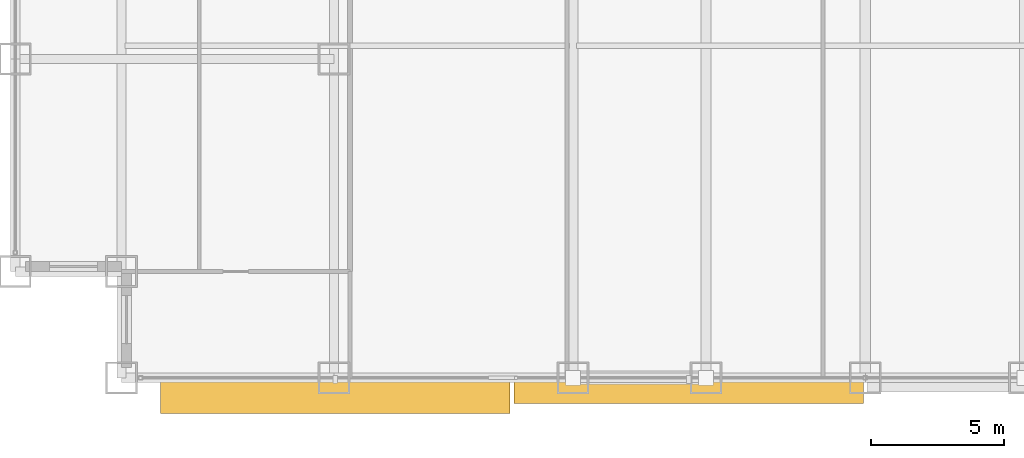
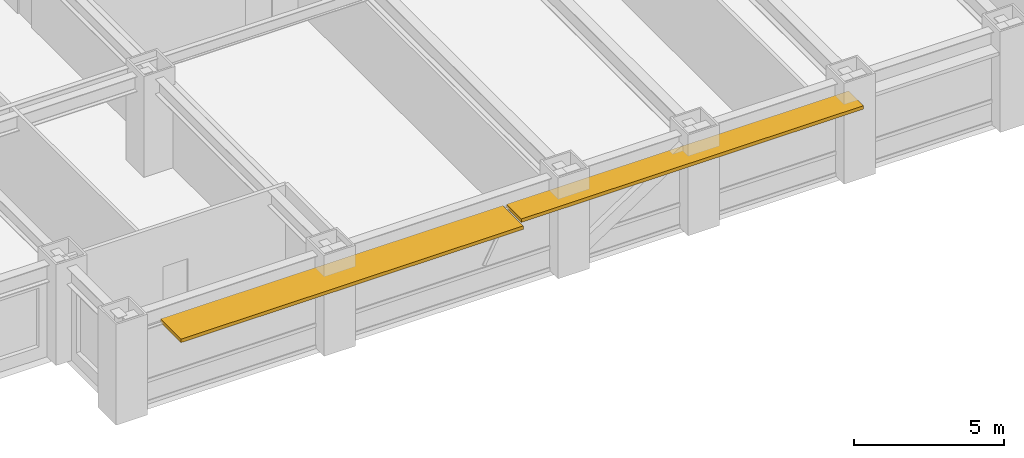
# One storey, part 28 of 32: 2 shading devices.
"""IFC4 building model written with IfcOpenShell, lengths in metres."""

from ifc_helpers import new_model, si_unit, direction, frame, origin, origin_2d, place, context, subcontext, project, spatial, rectangle, extrude, source, transform, mapped, material, layer, layer_set, type_object, element, save


model = new_model("IFC4")

# Units and contexts
model_context = context("Model", 3, precision=1e-05, world=origin(), true_north=direction((0.0, 1.0)))
body_context = subcontext(model_context, "Body", "Model", "MODEL_VIEW")
ifc_project = project(units=[si_unit("LENGTHUNIT", "METRE"), si_unit("AREAUNIT", "SQUARE_METRE"), si_unit("VOLUMEUNIT", "CUBIC_METRE"), si_unit("PLANEANGLEUNIT", "RADIAN"), si_unit("MASSUNIT", "GRAM", prefix="KILO")], contexts=[model_context])

# Site, building, storey
site_placement = place(None, origin())
site = spatial("IfcSite", under=ifc_project, at=site_placement, CompositionType="ELEMENT")
building_placement = place(site_placement, origin())
building = spatial("IfcBuilding", under=site, at=building_placement, Name="Khorayat Bourse Tower", CompositionType="ELEMENT")
storey_placement = place(building_placement, frame((0.0, 0.0, 132.39990234375)))
storey = spatial("IfcBuildingStorey", under=building, at=storey_placement, Name="L30", CompositionType="ELEMENT", Elevation=132.39990234375)

# Shading devices
ifc_material = material(Name="Precast concrete C45/55", Category="concrete")
ifc_layer = layer(ifc_material, 0.139892578125)
ifc_layer_set = layer_set([ifc_layer], Name="Precast concrete C45/55")
shading_device_type = type_object("IfcShadingDeviceType", Name="SHD-WAVE-TRAY-B", PredefinedType="USERDEFINED", material=ifc_layer_set)
shared_shape_1 = source(origin(), body_context, "Body", "SweptSolid", [
    extrude(rectangle(XDim=13.159912109375, YDim=1.3671875, at=origin_2d()), origin(), (0.0, 0.0, 1.0), 0.139892578125),
])
shading_device_1_placement = place(storey_placement, frame((-19.949951171875, -32.66357421875, 3.09033203125), z_axis=(0.0, 0.0, 1.0), x_axis=(1.0, 0.0, 0.0)))
element("IfcShadingDevice", 1, at=shading_device_1_placement, inside=storey, type_object=shading_device_type, Name="L30 Sinusoidal Wave Sunshade Tray S-1", ObjectType="SUNSHADE", PredefinedType="USERDEFINED", context=body_context, shape_type="MappedRepresentation", body=[
    mapped(shared_shape_1, transform((0.0, 0.0, 0.0), scale=1.0)),
])
shared_shape_2 = source(origin(), body_context, "Body", "SweptSolid", [
    extrude(rectangle(XDim=13.159912109375, YDim=0.989990234375, at=origin_2d()), origin(), (0.0, 0.0, 1.0), 0.139892578125),
])
shading_device_2_placement = place(storey_placement, frame((-6.64990234375, -32.47509765625, 3.09033203125), z_axis=(0.0, 0.0, 1.0), x_axis=(1.0, 0.0, 0.0)))
element("IfcShadingDevice", 2, at=shading_device_2_placement, inside=storey, type_object=shading_device_type, Name="L30 Sinusoidal Wave Sunshade Tray S-2", ObjectType="SUNSHADE", PredefinedType="USERDEFINED", context=body_context, shape_type="MappedRepresentation", body=[
    mapped(shared_shape_2, transform((0.0, 0.0, 0.0), scale=1.0)),
])

save(model, "model.ifc")
